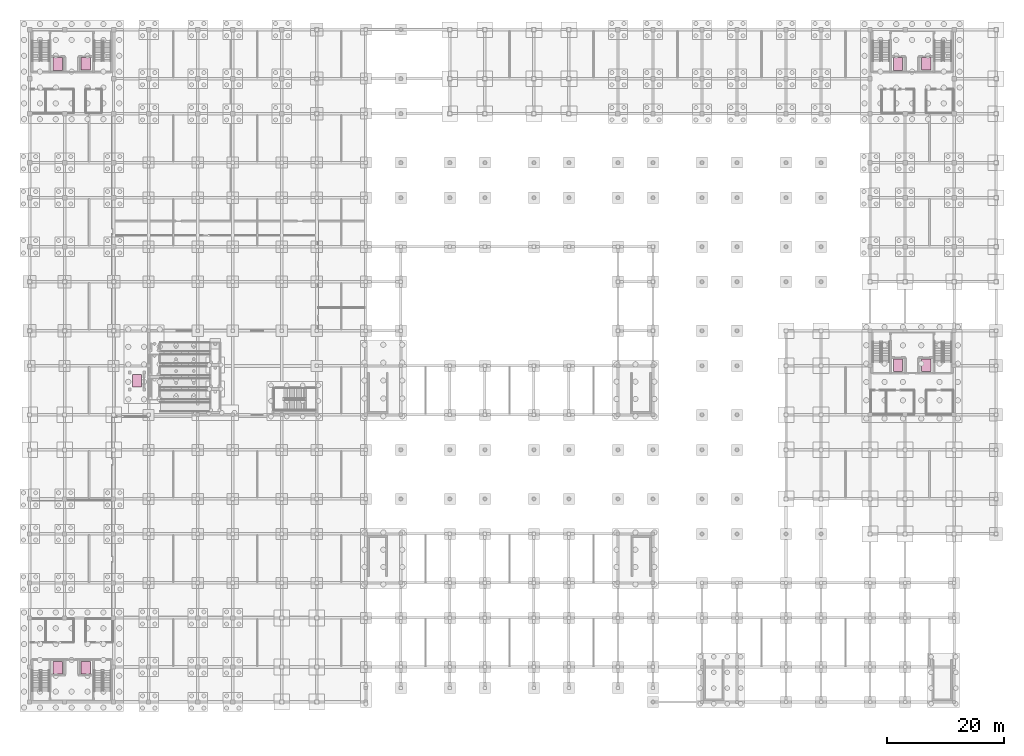
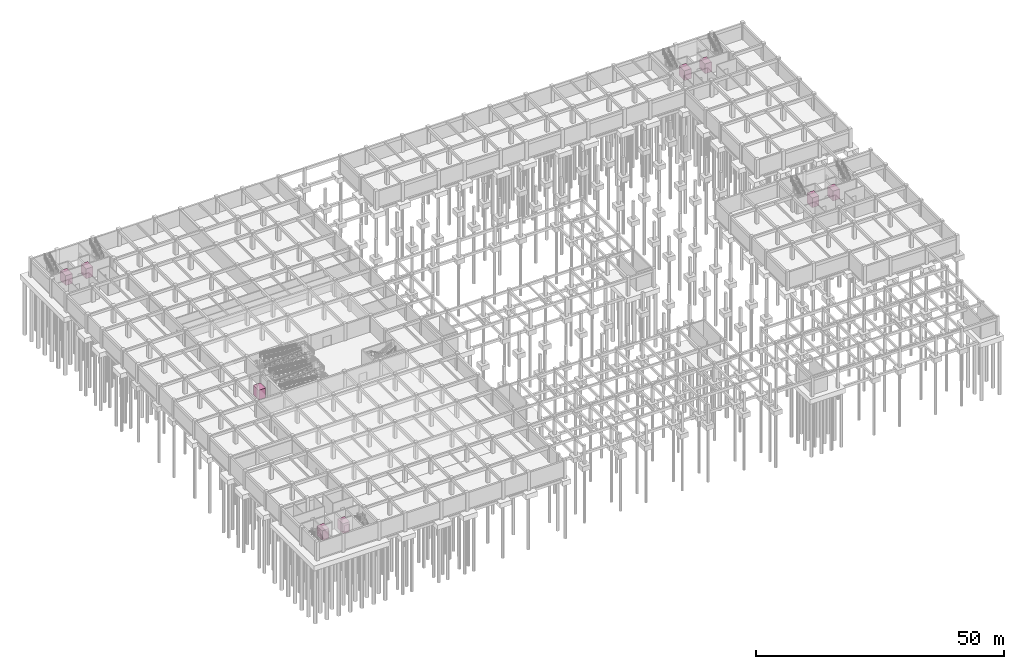
# One storey, part 40 of 40: 9 transport elements.
"""IFC4 building model written with IfcOpenShell, lengths in metres."""

from ifc_helpers import new_model, si_unit, direction, frame, origin, origin_2d, place, context, subcontext, project, spatial, rectangle, extrude, material, type_object, element, save


model = new_model("IFC4")

# Units and contexts
model_context = context("Model", 3, precision=1e-05, world=origin(), true_north=direction((0.0, 1.0)))
body_context = subcontext(model_context, "Body", "Model", "MODEL_VIEW")
ifc_project = project(units=[si_unit("LENGTHUNIT", "METRE"), si_unit("AREAUNIT", "SQUARE_METRE"), si_unit("VOLUMEUNIT", "CUBIC_METRE"), si_unit("PLANEANGLEUNIT", "RADIAN"), si_unit("MASSUNIT", "GRAM", prefix="KILO"), si_unit("THERMODYNAMICTEMPERATUREUNIT", "KELVIN")], contexts=[model_context])

# Site, building, storey
site_placement = place(None, origin())
site = spatial("IfcSite", under=ifc_project, at=site_placement, CompositionType="ELEMENT")
building_placement = place(site_placement, origin())
building = spatial("IfcBuilding", under=site, at=building_placement, Name="Thalorik Housing Commons", CompositionType="ELEMENT")
storey_placement = place(building_placement, frame((0.0, 0.0, -4.199951171875)))
storey = spatial("IfcBuildingStorey", under=building, at=storey_placement, Name="B1", CompositionType="ELEMENT", Elevation=-4.199951171875)

# Transport elements
ifc_material_1 = material(Name="Brushed stainless steel and Steel S355 cab frame", Category="steel")
transport_element_type_1 = type_object("IfcTransportElementType", Name="ARC-LIFT-FF1275", PredefinedType="ELEVATOR", material=ifc_material_1)
for number, where, z_axis, x_axis, name in (
    (1, (13.199951171875, 117.72509765625, 0.0), (0.0, 0.0, 1.0), (1.0, 0.0, 0.0), "Lift LF-A1"),
    (2, (157.199951171875, 117.72509765625, 0.0), (0.0, 0.0, 1.0), (1.0, 0.0, 0.0), "Lift LF-B1"),
    (3, (13.199951171875, 14.27490234375, 0.0), (0.0, 0.0, 1.0), (1.0, 0.0, 0.0), "Lift LF-C1"),
):
    element("IfcTransportElement", number, at=place(storey_placement, frame(where, z_axis=z_axis, x_axis=x_axis)), inside=storey, type_object=transport_element_type_1, Name=name, PredefinedType="ELEVATOR", context=body_context, shape_type="SweptSolid", body=[
        extrude(rectangle(XDim=1.60009765625, YDim=2.199951171875, at=origin_2d()), origin(), (0.0, 0.0, 1.0), 2.39990234375),
    ])
ifc_material_2 = material(Name="Anodised aluminium and brushed steel lift car", Category="steel")
transport_element_type_2 = type_object("IfcTransportElementType", Name="ARC-LIFT-PAX1150", PredefinedType="ELEVATOR", material=ifc_material_2)
for number, where, z_axis, x_axis, name in (
    (4, (18.0, 117.72509765625, 0.0), (0.0, 0.0, 1.0), (1.0, 0.0, 0.0), "Lift LP-A2"),
    (5, (162.0, 117.72509765625, 0.0), (0.0, 0.0, 1.0), (1.0, 0.0, 0.0), "Lift LP-B2"),
    (6, (18.0, 14.27490234375, 0.0), (0.0, 0.0, 1.0), (1.0, 0.0, 0.0), "Lift LP-C2"),
    (7, (157.199951171875, 66.125, 0.0), (0.0, 0.0, 1.0), (1.0, 0.0, 0.0), "Lift LP-D1"),
    (8, (162.0, 66.125, 0.0), (0.0, 0.0, 1.0), (1.0, 0.0, 0.0), "Lift LP-D2"),
    (9, (26.800048828125, 63.39990234375, 0.0), (0.0, 0.0, 1.0), (1.0, 0.0, 0.0), "Lift LP-M1"),
):
    element("IfcTransportElement", number, at=place(storey_placement, frame(where, z_axis=z_axis, x_axis=x_axis)), inside=storey, type_object=transport_element_type_2, Name=name, PredefinedType="ELEVATOR", context=body_context, shape_type="SweptSolid", body=[
        extrude(rectangle(XDim=1.60009765625, YDim=2.14990234375, at=origin_2d()), origin(), (0.0, 0.0, 1.0), 2.39990234375),
    ])

save(model, "model.ifc")
